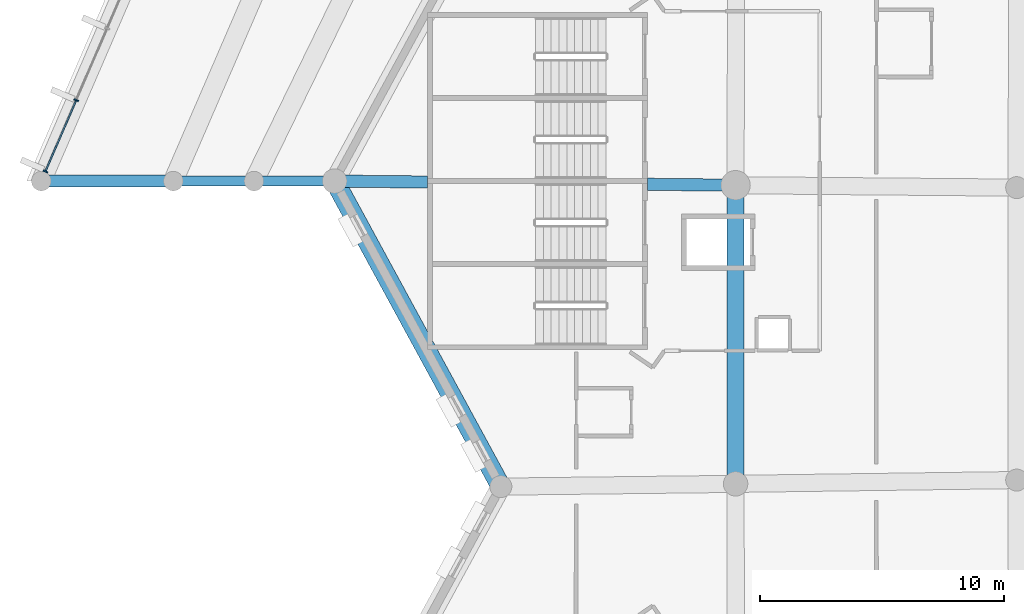
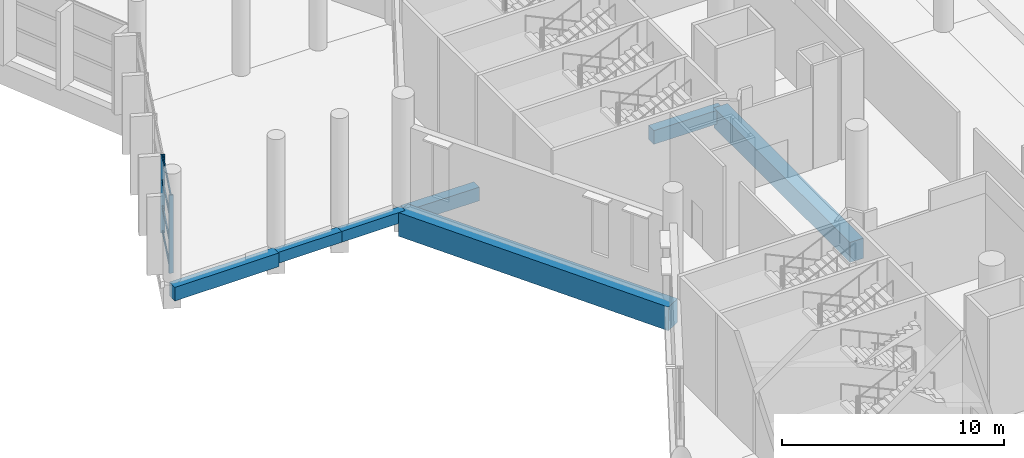
# One storey, part 25 of 249: 7 beams, 6 members, 1 element without a shape of its own.
"""IFC4 building model written with IfcOpenShell, lengths in metres."""

from ifc_helpers import new_model, si_unit, direction, frame, origin, origin_2d, place, context, subcontext, project, spatial, rectangle, extrude, material, layer, layer_set, material_profile, profile_set, type_object, element, aggregate, save


model = new_model("IFC4")

# Units and contexts
model_context = context("Model", 3, precision=1e-05, world=origin(), true_north=direction((0.0, 1.0)))
body_context = subcontext(model_context, "Body", "Model", "MODEL_VIEW")
ifc_project = project(units=[si_unit("LENGTHUNIT", "METRE"), si_unit("AREAUNIT", "SQUARE_METRE"), si_unit("VOLUMEUNIT", "CUBIC_METRE"), si_unit("PLANEANGLEUNIT", "RADIAN"), si_unit("MASSUNIT", "GRAM", prefix="KILO")], contexts=[model_context])

# Site, building, storey
site_placement = place(None, origin())
site = spatial("IfcSite", under=ifc_project, at=site_placement, CompositionType="ELEMENT")
building_placement = place(site_placement, origin())
building = spatial("IfcBuilding", under=site, at=building_placement, Name="Meseta Stadium", CompositionType="ELEMENT")
storey_placement = place(building_placement, frame((0.0, 0.0, 12.0)))
storey = spatial("IfcBuildingStorey", under=building, at=storey_placement, Name="L02", CompositionType="ELEMENT", Elevation=12.0)

# Beams
ifc_material_1 = material(Name="Concrete C40/50", Category="concrete")
ifc_material_profile_1 = material_profile(ifc_material_1, rectangle(XDim=0.39990234375, YDim=0.60009765625, at=origin_2d()), Name="RC 400x600")
ifc_profile_set_1 = profile_set([ifc_material_profile_1], Name="Concrete C40/50")
beam_type_1 = type_object("IfcBeamType", Name="RC beam 400x600", PredefinedType="BEAM", material=ifc_profile_set_1)
for number, where, z_axis, x_axis, name in (
    (1, (-101.39990234375, 6.25, -0.64990234375), (-1.0, 0.0, 0.0), (0.0, -1.0, 0.0), "L02 radial beam frame 32 line R to M"),
    (2, (-104.699951171875, 6.25, -0.64990234375), (-1.0, 0.0, 0.0), (0.0, -1.0, 0.0), "L02 radial beam frame 32 line M to Q"),
):
    element("IfcBeam", number, at=place(storey_placement, frame(where, z_axis=z_axis, x_axis=x_axis)), inside=storey, type_object=beam_type_1, Name=name, PredefinedType="BEAM", context=body_context, shape_type="SweptSolid", body=[
        extrude(rectangle(XDim=0.39990234375, YDim=0.60009765625, at=origin_2d()), origin(), (0.0, 0.0, 1.0), 3.300048828125),
    ])
ifc_material_2 = material(Name="Concrete C40/50", Category="concrete")
ifc_material_profile_2 = material_profile(ifc_material_2, rectangle(XDim=0.5, YDim=0.75, at=origin_2d()), Name="RC 500x750")
ifc_profile_set_2 = profile_set([ifc_material_profile_2], Name="Concrete C40/50")
beam_type_2 = type_object("IfcBeamType", Name="RC beam 500x750", PredefinedType="BEAM", material=ifc_profile_set_2)
beam_1_placement = place(storey_placement, frame((-84.99755859375, 6.081298828125, -0.72509765625), z_axis=(-0.999946950007, 0.010300348089, 0.0), x_axis=(-0.010300348089, -0.999946950007, 0.0)))
element("IfcBeam", 3, at=beam_1_placement, inside=storey, type_object=beam_type_2, Name="L02 radial beam frame 32 line P to R", PredefinedType="BEAM", context=body_context, shape_type="SweptSolid", body=[
    extrude(rectangle(XDim=0.5, YDim=0.75, at=origin_2d()), origin(), (0.0, 0.0, 1.0), 3.602783203125),
])
beam_2_placement = place(storey_placement, frame((-97.60009765625, 6.2109375, -0.72509765625), z_axis=(-0.999947163614, 0.010279590477, 0.0), x_axis=(-0.010279590477, -0.999947163614, 0.0)))
element("IfcBeam", 4, at=beam_2_placement, inside=storey, type_object=beam_type_2, Name="L02 radial beam frame 32 line P to R", PredefinedType="BEAM", context=body_context, shape_type="SweptSolid", body=[
    extrude(rectangle(XDim=0.5, YDim=0.75, at=origin_2d()), origin(), (0.0, 0.0, 1.0), 3.800048828125),
])
beam_3_placement = place(storey_placement, frame((-108.0, 6.25, -0.72509765625), z_axis=(-1.0, 0.0, 0.0), x_axis=(0.0, -1.0, 0.0)))
element("IfcBeam", 5, at=beam_3_placement, inside=storey, type_object=beam_type_2, Name="L02 radial beam frame 32 line Q to O", PredefinedType="BEAM", context=body_context, shape_type="SweptSolid", body=[
    extrude(rectangle(XDim=0.5, YDim=0.75, at=origin_2d()), origin(), (0.0, 0.0, 1.0), 5.39990234375),
])
ifc_material_3 = material(Name="Concrete C40/50", Category="concrete")
ifc_material_profile_3 = material_profile(ifc_material_3, rectangle(XDim=0.699951171875, YDim=1.10009765625, at=origin_2d()), Name="RC 700x1100")
ifc_profile_set_3 = profile_set([ifc_material_profile_3], Name="Concrete C40/50")
beam_type_3 = type_object("IfcBeamType", Name="RC beam 700x1100", PredefinedType="BEAM", material=ifc_profile_set_3)
beam_4_placement = place(storey_placement, frame((-84.99755859375, 6.081298828125, -0.89990234375), z_axis=(3.9962435e-05, -0.999999999202, 0.0), x_axis=(0.999999999202, 3.9962435e-05, 0.0)))
element("IfcBeam", 6, at=beam_4_placement, inside=storey, type_object=beam_type_3, Name="L02 ring beam frame 32 line P", PredefinedType="BEAM", context=body_context, shape_type="SweptSolid", body=[
    extrude(rectangle(XDim=0.699951171875, YDim=1.10009765625, at=origin_2d()), origin(), (0.0, 0.0, 1.0), 12.218505859375),
])
ifc_material_4 = material(Name="Concrete C40/50", Category="concrete")
ifc_material_profile_4 = material_profile(ifc_material_4, rectangle(XDim=0.800048828125, YDim=1.300048828125, at=origin_2d()), Name="RC 800x1300")
ifc_profile_set_4 = profile_set([ifc_material_profile_4], Name="Concrete C40/50")
beam_type_4 = type_object("IfcBeamType", Name="RC beam 800x1300", PredefinedType="BEAM", material=ifc_profile_set_4)
beam_5_placement = place(storey_placement, frame((-101.39990234375, 6.25, -1.0), z_axis=(0.47785649891, -0.878437912689, 0.0), x_axis=(0.878437912689, 0.47785649891, 0.0)))
element("IfcBeam", 7, at=beam_5_placement, inside=storey, type_object=beam_type_4, Name="L02 ring beam frame 32 line R", PredefinedType="BEAM", context=body_context, shape_type="SweptSolid", body=[
    extrude(rectangle(XDim=0.800048828125, YDim=1.300048828125, at=origin_2d()), origin(), (0.0, 0.0, 1.0), 14.229736328125),
])

# Curtain wall, members
ifc_material_5 = material(Name="Aluminium", Category="aluminium")
ifc_layer = layer(ifc_material_5, 0.199951171875)
ifc_layer_set = layer_set([ifc_layer], Name="Ring shopfront curtain wall")
curtain_wall_type = type_object("IfcCurtainWallType", Name="Ring shopfront curtain wall", PredefinedType="NOTDEFINED", material=ifc_layer_set)
curtain_wall_placement = place(storey_placement, origin())
curtain_wall = element("IfcCurtainWall", 8, at=curtain_wall_placement, inside=storey, type_object=curtain_wall_type, Name="Ring glazing L02 F31", PredefinedType="NOTDEFINED")
ifc_material_6 = material(Name="Aluminium", Category="aluminium")
ifc_material_profile_5 = material_profile(ifc_material_6, rectangle(XDim=0.199951171875, YDim=0.06005859375, at=origin_2d()), Name="CW 200x60")
ifc_profile_set_5 = profile_set([ifc_material_profile_5], Name="Aluminium")
member_type_1 = type_object("IfcMemberType", Name="Ring CW mullion 60x200", PredefinedType="MULLION", material=ifc_profile_set_5)
member_1_placement = place(storey_placement, frame((-111.970703125, 9.55859375, 0.0), z_axis=(0.0, 0.0, 1.0), x_axis=(0.91799986854, -0.396580687073, 0.0)))
member_1 = element("IfcMember", 9, at=member_1_placement, type_object=member_type_1, Name="CWR1 mullion 4", PredefinedType="MULLION", context=body_context, shape_type="SweptSolid", body=[
    extrude(rectangle(XDim=0.199951171875, YDim=0.06005859375, at=origin_2d()), origin(), (0.0, 0.0, 1.0), 4.300048828125),
])
member_2_placement = place(storey_placement, frame((-113.2294921875, 6.644775390625, 0.0), z_axis=(0.0, 0.0, 1.0), x_axis=(0.91799986854, -0.396580687073, 0.0)))
member_2 = element("IfcMember", 10, at=member_2_placement, type_object=member_type_1, Name="CWR1 mullion 5", PredefinedType="MULLION", context=body_context, shape_type="SweptSolid", body=[
    extrude(rectangle(XDim=0.199951171875, YDim=0.06005859375, at=origin_2d()), origin(), (0.0, 0.0, 1.0), 4.300048828125),
])
ifc_material_7 = material(Name="Aluminium", Category="aluminium")
ifc_material_profile_6 = material_profile(ifc_material_7, rectangle(XDim=0.06005859375, YDim=0.14990234375, at=origin_2d()), Name="CW 60x150")
ifc_profile_set_6 = profile_set([ifc_material_profile_6], Name="Aluminium")
member_type_2 = type_object("IfcMemberType", Name="Ring CW transom 60x150", PredefinedType="USERDEFINED", material=ifc_profile_set_6)
member_3_placement = place(storey_placement, frame((-111.982666015625, 9.531005859375, 0.074951171875), z_axis=(-0.396557660608, -0.91800981575, 0.0), x_axis=(0.91800981575, -0.396557660608, 0.0)))
member_3 = element("IfcMember", 11, at=member_3_placement, type_object=member_type_2, Name="CWR1 transom 4.1", ObjectType="TRANSOM", PredefinedType="USERDEFINED", context=body_context, shape_type="SweptSolid", body=[
    extrude(rectangle(XDim=0.06005859375, YDim=0.14990234375, at=origin_2d()), origin(), (0.0, 0.0, 1.0), 3.114013671875),
])
member_4_placement = place(storey_placement, frame((-111.982666015625, 9.531005859375, 1.433349609375), z_axis=(-0.396557660608, -0.91800981575, 0.0), x_axis=(0.91800981575, -0.396557660608, 0.0)))
member_4 = element("IfcMember", 12, at=member_4_placement, type_object=member_type_2, Name="CWR1 transom 4.2", ObjectType="TRANSOM", PredefinedType="USERDEFINED", context=body_context, shape_type="SweptSolid", body=[
    extrude(rectangle(XDim=0.06005859375, YDim=0.14990234375, at=origin_2d()), origin(), (0.0, 0.0, 1.0), 3.114013671875),
])
member_5_placement = place(storey_placement, frame((-111.982666015625, 9.531005859375, 2.86669921875), z_axis=(-0.396557660608, -0.91800981575, 0.0), x_axis=(0.91800981575, -0.396557660608, 0.0)))
member_5 = element("IfcMember", 13, at=member_5_placement, type_object=member_type_2, Name="CWR1 transom 4.3", ObjectType="TRANSOM", PredefinedType="USERDEFINED", context=body_context, shape_type="SweptSolid", body=[
    extrude(rectangle(XDim=0.06005859375, YDim=0.14990234375, at=origin_2d()), origin(), (0.0, 0.0, 1.0), 3.114013671875),
])
member_6_placement = place(storey_placement, frame((-111.982666015625, 9.531005859375, 4.22509765625), z_axis=(-0.396557660608, -0.91800981575, 0.0), x_axis=(0.91800981575, -0.396557660608, 0.0)))
member_6 = element("IfcMember", 14, at=member_6_placement, type_object=member_type_2, Name="CWR1 transom 4.4", ObjectType="TRANSOM", PredefinedType="USERDEFINED", context=body_context, shape_type="SweptSolid", body=[
    extrude(rectangle(XDim=0.06005859375, YDim=0.14990234375, at=origin_2d()), origin(), (0.0, 0.0, 1.0), 3.114013671875),
])
aggregate(curtain_wall, [member_1, member_2, member_3, member_4, member_5, member_6])

save(model, "model.ifc")
